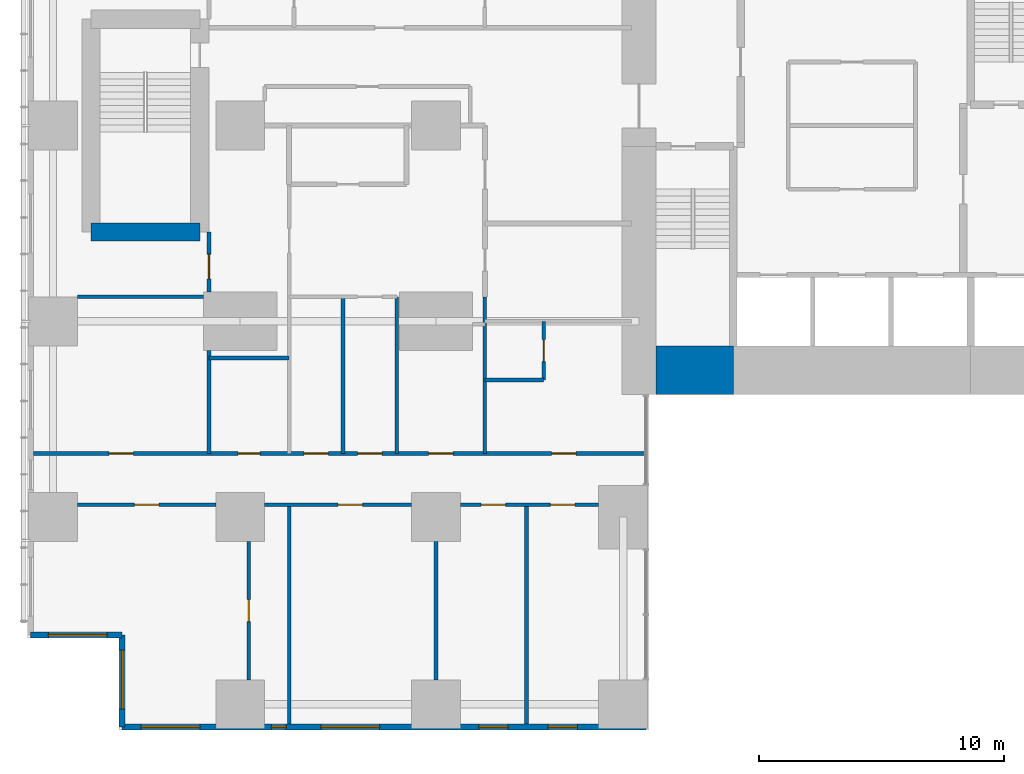
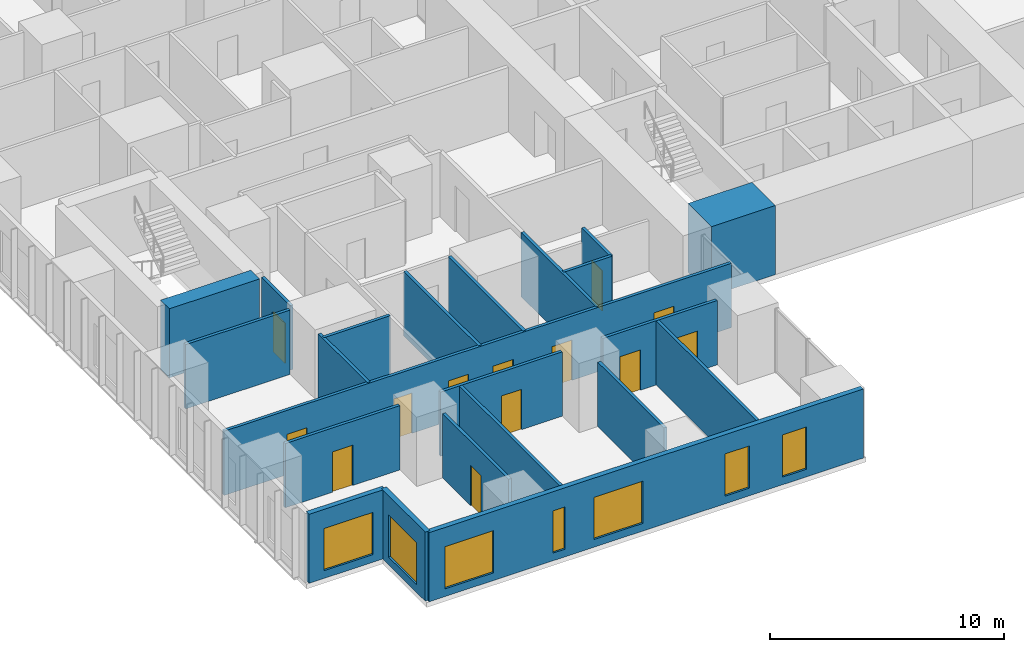
# One storey, part 12 of 20: 22 walls, 13 doors, 7 windows, 20 openings.
"""IFC4 building model written with IfcOpenShell, lengths in metres."""

import ifcopenshell
import ifcopenshell.guid

model = None  # the IFC model being written
_history = None  # IfcOwnerHistory: only IFC2X3 demands one
_inside = {}  # id of a spatial element -> (the spatial element, [elements in it])
_under = {}  # id of a project, library or spatial element -> (it, [spatial elements below it])
_declared = {}  # id of a project -> (the project, [libraries it declares])
_typed = {}  # id of a type object -> (the type object, [elements of that type])
_made_of = {}  # id of a material, layer set ... -> (it, [elements and type objects made of it])


def new_model(schema):
    """Start an empty IFC model of exactly this schema.

    Asked for "IFC4X3", IfcOpenShell would pick the latest addendum, in which some entities
    have other attributes; the version numbers below select the first issue.
    IFC2X3 requires an IfcOwnerHistory on every rooted entity: one is made here for all.
    """
    global model, _history
    if schema == "IFC4X3":
        model = ifcopenshell.file(schema_version=(4, 3, 0, 0))
    else:
        model = ifcopenshell.file(schema=schema)
    _inside.clear()
    _under.clear()
    _declared.clear()
    _typed.clear()
    _made_of.clear()
    _history = None
    if model.schema == "IFC2X3":
        org = make("IfcOrganization", Name="unknown")
        user = make(
            "IfcPersonAndOrganization",
            ThePerson=make("IfcPerson", FamilyName="unknown"),
            TheOrganization=org,
        )
        app = make(
            "IfcApplication",
            ApplicationDeveloper=org,
            Version="unknown",
            ApplicationFullName="unknown",
            ApplicationIdentifier="unknown",
        )
        _history = make(
            "IfcOwnerHistory",
            OwningUser=user,
            OwningApplication=app,
            ChangeAction="ADDED",
            CreationDate=0,
        )
    return model


def make(cls, **values):
    """One entity of the class cls with the attributes given. An attribute that is None is left unset."""
    return model.create_entity(
        cls, **{name: value for name, value in values.items() if value is not None}
    )


def rooted(cls, **values):
    """An entity with a GlobalId (a new one), such as an element, a storey or a relation."""
    return make(cls, GlobalId=ifcopenshell.guid.new(), OwnerHistory=_history, **values)


def si_unit(unit_type, name, prefix=None):
    """IfcSIUnit, for example si_unit("LENGTHUNIT", "METRE", prefix="MILLI")."""
    return make("IfcSIUnit", UnitType=unit_type, Prefix=prefix, Name=name)


def assignment(units):
    """IfcUnitAssignment: the units of a project."""
    return None if units is None else make("IfcUnitAssignment", Units=units)


def point(xyz):
    """IfcCartesianPoint."""
    return None if xyz is None else make("IfcCartesianPoint", Coordinates=xyz)


def direction(xyz):
    """IfcDirection."""
    return None if xyz is None else make("IfcDirection", DirectionRatios=xyz)


def frame(location, z_axis=None, x_axis=None):
    """IfcAxis2Placement3D, a coordinate frame: its origin and axes. An axis left out is left unset."""
    return make(
        "IfcAxis2Placement3D",
        Location=point(location),
        Axis=direction(z_axis),
        RefDirection=direction(x_axis),
    )


def frame_2d(location, x_axis=None):
    """IfcAxis2Placement2D, a coordinate frame in the plane: its origin and x axis."""
    return make(
        "IfcAxis2Placement2D", Location=point(location), RefDirection=direction(x_axis)
    )


def origin():
    """The frame at (0, 0, 0) with its axes left unset."""
    return frame((0.0, 0.0, 0.0))


def place(relative_to, where):
    """IfcLocalPlacement: puts the frame where relative to a parent placement (None: the world)."""
    return make(
        "IfcLocalPlacement", PlacementRelTo=relative_to, RelativePlacement=where
    )


def context(
    kind, dimensions, precision=None, world=None, true_north=None, identifier=None
):
    """IfcGeometricRepresentationContext, for example the 3D "Model" context."""
    return make(
        "IfcGeometricRepresentationContext",
        ContextIdentifier=identifier,
        ContextType=kind,
        CoordinateSpaceDimension=dimensions,
        Precision=precision,
        WorldCoordinateSystem=world,
        TrueNorth=true_north,
    )


def subcontext(parent, identifier, kind, view, scale=None):
    """IfcGeometricRepresentationSubContext, for example "Body" below "Model"."""
    return make(
        "IfcGeometricRepresentationSubContext",
        ContextIdentifier=identifier,
        ContextType=kind,
        ParentContext=parent,
        TargetScale=scale,
        TargetView=view,
    )


def project(units=None, contexts=None):
    """IfcProject with its units and contexts."""
    return rooted(
        "IfcProject",
        Name="project",
        RepresentationContexts=contexts,
        UnitsInContext=assignment(units),
    )


def spatial(cls, under=None, at=None, **own):
    """A site, building, storey or space (cls), placed at a placement, below another one or the project."""
    s = rooted(cls, ObjectPlacement=at, **own)
    if under is not None:
        _under.setdefault(under.id(), (under, []))[1].append(s)
    return s


def profile(cls, at=None, kind="AREA", **sizes):
    """A parametric profile (cls). Its sizes go by their IFC names, for example OverallWidth=200.0."""
    return make(cls, ProfileType=kind, Position=at, **sizes)


def rectangle(**sizes):
    """IfcRectangleProfileDef."""
    return profile("IfcRectangleProfileDef", **sizes)


def extrude(swept, where, along, depth):
    """IfcExtrudedAreaSolid: the profile swept, set in the frame where, extruded along a direction by depth."""
    return make(
        "IfcExtrudedAreaSolid",
        SweptArea=swept,
        Position=where,
        ExtrudedDirection=direction(along),
        Depth=depth,
    )


def shape(context_of_items, identifier, shape_type, items):
    """IfcShapeRepresentation: the items that make up one representation, for example the "Body"."""
    return make(
        "IfcShapeRepresentation",
        ContextOfItems=context_of_items,
        RepresentationIdentifier=identifier,
        RepresentationType=shape_type,
        Items=items,
    )


def material(Name=None, Category=None):
    """IfcMaterial."""
    return make("IfcMaterial", Name=Name, Category=Category)


def layer(
    of_material, thickness, ventilated=None, Name=None, Category=None, Priority=None
):
    """IfcMaterialLayer: one layer of a wall or slab, of a material (None: an air gap)."""
    return make(
        "IfcMaterialLayer",
        Material=of_material,
        LayerThickness=thickness,
        IsVentilated=ventilated,
        Name=Name,
        Category=Category,
        Priority=Priority,
    )


def layer_set(layers, Name=None):
    """IfcMaterialLayerSet."""
    return make("IfcMaterialLayerSet", MaterialLayers=layers, LayerSetName=Name)


def made_of(thing, what):
    """Note that an element or type object is made of a material, layer set ...; save() writes the relation."""
    if what is not None:
        _made_of.setdefault(what.id(), (what, []))[1].append(thing)
    return thing


def type_object(cls, material=None, **own):
    """A type object (cls), such as IfcWallType, which elements share."""
    return made_of(rooted(cls, **own), material)


def element(
    cls,
    number,
    at=None,
    inside=None,
    cuts=None,
    type_object=None,
    material=None,
    context=None,
    identifier="Body",
    shape_type=None,
    held_by="IfcProductDefinitionShape",
    body=None,
    shapes=None,
    **own,
):
    """One element of the class cls, such as IfcWall. Its Tag is "e" and its number.

    at: its placement. inside: the storey or other place that contains it. cuts: it is an
    opening in that element (IfcRelVoidsElement). A single representation is given by context,
    identifier, shape_type and body (its items); several are given by shapes. held_by: the class
    of the entity that holds the representations. save() writes the other relations.
    """
    e = rooted(cls, Tag="e%d" % number, ObjectPlacement=at, **own)
    if body is not None:
        shapes = [shape(context, identifier, shape_type, body)]
    if shapes is not None:
        e.Representation = make(held_by, Representations=shapes)
    if inside is not None:
        _inside.setdefault(inside.id(), (inside, []))[1].append(e)
    if cuts is not None:
        rooted(
            "IfcRelVoidsElement", RelatingBuildingElement=cuts, RelatedOpeningElement=e
        )
    if type_object is not None:
        _typed.setdefault(type_object.id(), (type_object, []))[1].append(e)
    return made_of(e, material)


def fill(opening, filler):
    """IfcRelFillsElement: the door or window that sits in an opening."""
    return rooted(
        "IfcRelFillsElement",
        RelatingOpeningElement=opening,
        RelatedBuildingElement=filler,
    )


def aggregate(whole, parts):
    """IfcRelAggregates: a whole, such as a stair, and the parts it consists of."""
    return rooted("IfcRelAggregates", RelatingObject=whole, RelatedObjects=parts)


def save(model, path):
    """Write the relations noted so far, then the file.

    IfcRelAggregates (storeys below a building ...), IfcRelContainedInSpatialStructure (elements
    in a storey), IfcRelDefinesByType, IfcRelAssociatesMaterial and IfcRelDeclares: one each for
    every whole, place, type object, material and project.
    """
    for whole, parts in _under.values():
        aggregate(whole, parts)
    for where, things in _inside.values():
        rooted(
            "IfcRelContainedInSpatialStructure",
            RelatedElements=things,
            RelatingStructure=where,
        )
    for kind, things in _typed.values():
        rooted("IfcRelDefinesByType", RelatedObjects=things, RelatingType=kind)
    for what, things in _made_of.values():
        rooted("IfcRelAssociatesMaterial", RelatedObjects=things, RelatingMaterial=what)
    for by, libraries in _declared.values():
        rooted("IfcRelDeclares", RelatingContext=by, RelatedDefinitions=libraries)
    model.write(path)


model = new_model("IFC4")

# Units and contexts
model_context = context("Model", 3, precision=1e-05, world=origin(), true_north=direction((0.0, 1.0)))
body_context = subcontext(model_context, "Body", "Model", "MODEL_VIEW")
ifc_project = project(units=[si_unit("LENGTHUNIT", "METRE"), si_unit("AREAUNIT", "SQUARE_METRE"), si_unit("VOLUMEUNIT", "CUBIC_METRE"), si_unit("PLANEANGLEUNIT", "RADIAN"), si_unit("MASSUNIT", "GRAM", prefix="KILO")], contexts=[model_context])

# Site, building, storey
site_placement = place(None, origin())
site = spatial("IfcSite", under=ifc_project, at=site_placement, CompositionType="ELEMENT")
building_placement = place(site_placement, origin())
building = spatial("IfcBuilding", under=site, at=building_placement, Name="Cleftline Residences", CompositionType="ELEMENT")
storey_placement = place(building_placement, frame((0.0, 0.0, 117.800048828125)))
storey = spatial("IfcBuildingStorey", under=building, at=storey_placement, Name="L30", CompositionType="ELEMENT", Elevation=117.800048828125)

# Wall
ifc_material_1 = material(Name="Concrete B70", Category="concrete")
ifc_layer_1 = layer(ifc_material_1, 2.0)
ifc_layer_set_1 = layer_set([ifc_layer_1], Name="CORE WALL 2000")
wall_type_1 = type_object("IfcWallType", Name="CORE WALL 2000", PredefinedType="SHEAR", material=ifc_layer_set_1)
wall_1_placement = place(storey_placement, frame((25.0, 14.0, 0.0), z_axis=(0.0, 0.0, 1.0), x_axis=(1.0, 0.0, 0.0)))
element("IfcWall", 1, at=wall_1_placement, inside=storey, type_object=wall_type_1, Name="Core wall S1", PredefinedType="SHEAR", context=body_context, shape_type="SweptSolid", body=[
    extrude(rectangle(XDim=3.14990234375, YDim=2.0, at=frame_2d((1.574951171875, 0.0))), origin(), (0.0, 0.0, 1.0), 3.599853515625),
])

# Wall, opening, window
ifc_material_2 = material(Name="Rendered reinforced concrete blockwork", Category="masonry")
ifc_layer_2 = layer(ifc_material_2, 0.25)
ifc_layer_set_2 = layer_set([ifc_layer_2], Name="EXTERNAL WALL 250")
wall_type_2 = type_object("IfcWallType", Name="EXTERNAL WALL 250", PredefinedType="SOLIDWALL", material=ifc_layer_set_2)
wall_2_placement = place(storey_placement, frame((-0.574951171875, 3.175048828125, 0.0), z_axis=(0.0, 0.0, 1.0), x_axis=(1.0, 0.0, 0.0)))
wall_2 = element("IfcWall", 2, at=wall_2_placement, inside=storey, type_object=wall_type_2, Name="External wall", PredefinedType="SOLIDWALL", context=body_context, shape_type="SweptSolid", body=[
    extrude(rectangle(XDim=3.75, YDim=0.25, at=frame_2d((1.875, 0.0))), origin(), (0.0, 0.0, 1.0), 3.599853515625),
])
opening_1_placement = place(wall_2_placement, frame((0.737548828125, 0.0, 0.39990234375)))
opening_1 = element("IfcOpeningElement", 3, at=opening_1_placement, cuts=wall_2, Name="Opening W12", PredefinedType="OPENING", context=body_context, shape_type="SweptSolid", body=[
    extrude(rectangle(XDim=2.39990234375, YDim=2.199951171875, at=frame_2d((1.199951171875, 1.10009765625))), frame((0.0, 0.135009765625, 0.0), z_axis=(0.0, -1.0, 0.0), x_axis=(1.0, 0.0, 0.0)), (0.0, 0.0, 1.0), 0.27001953125),
])
ifc_material_3 = material(Name="Aluminium frame, clear double glazing", Category="aluminium")
window_type_1 = type_object("IfcWindowType", Name="WINDOW 2400X2200", PartitioningType="DOUBLE_PANEL_VERTICAL", PredefinedType="WINDOW", material=ifc_material_3)
window_1_placement = place(opening_1_placement, origin())
window_1 = element("IfcWindow", 4, at=window_1_placement, inside=storey, type_object=window_type_1, Name="Window", OverallHeight=2.199951171875, OverallWidth=2.39990234375, PartitioningType="SINGLE_PANEL", PredefinedType="WINDOW", context=body_context, shape_type="SweptSolid", body=[
    extrude(rectangle(XDim=2.39990234375, YDim=2.199951171875, at=frame_2d((1.199951171875, 1.10009765625))), frame((0.0, 0.030029296875, 0.0), z_axis=(0.0, -1.0, 0.0), x_axis=(1.0, 0.0, 0.0)), (0.0, 0.0, 1.0), 0.06005859375),
])
fill(opening_1, window_1)

wall_3_placement = place(storey_placement, frame((3.175048828125, 3.175048828125, 0.0), z_axis=(0.0, 0.0, 1.0), x_axis=(0.0, -1.0, 0.0)))
wall_3 = element("IfcWall", 5, at=wall_3_placement, inside=storey, type_object=wall_type_2, Name="External wall", PredefinedType="SOLIDWALL", context=body_context, shape_type="SweptSolid", body=[
    extrude(rectangle(XDim=3.75, YDim=0.25, at=frame_2d((1.875, 0.0))), origin(), (0.0, 0.0, 1.0), 3.599853515625),
])
opening_2_placement = place(wall_3_placement, frame((0.612548828125, 0.0, 0.39990234375)))
opening_2 = element("IfcOpeningElement", 6, at=opening_2_placement, cuts=wall_3, Name="Opening W12", PredefinedType="OPENING", context=body_context, shape_type="SweptSolid", body=[
    extrude(rectangle(XDim=2.39990234375, YDim=2.199951171875, at=frame_2d((1.199951171875, 1.10009765625))), frame((0.0, 0.135009765625, 0.0), z_axis=(0.0, -1.0, 0.0), x_axis=(1.0, 0.0, 0.0)), (0.0, 0.0, 1.0), 0.27001953125),
])
window_2_placement = place(opening_2_placement, origin())
window_2 = element("IfcWindow", 7, at=window_2_placement, inside=storey, type_object=window_type_1, Name="Window", OverallHeight=2.199951171875, OverallWidth=2.39990234375, PartitioningType="SINGLE_PANEL", PredefinedType="WINDOW", context=body_context, shape_type="SweptSolid", body=[
    extrude(rectangle(XDim=2.39990234375, YDim=2.199951171875, at=frame_2d((1.199951171875, 1.10009765625))), frame((0.0, 0.030029296875, 0.0), z_axis=(0.0, -1.0, 0.0), x_axis=(1.0, 0.0, 0.0)), (0.0, 0.0, 1.0), 0.06005859375),
])
fill(opening_2, window_2)

# Wall, openings, windows
wall_4_placement = place(storey_placement, frame((3.175048828125, -0.574951171875, 0.0), z_axis=(0.0, 0.0, 1.0), x_axis=(1.0, 0.0, 0.0)))
wall_4 = element("IfcWall", 8, at=wall_4_placement, inside=storey, type_object=wall_type_2, Name="External wall", PredefinedType="SOLIDWALL", context=body_context, shape_type="SweptSolid", body=[
    extrude(rectangle(XDim=21.39990234375, YDim=0.25, at=frame_2d((10.699951171875, 0.0))), origin(), (0.0, 0.0, 1.0), 3.599853515625),
])
opening_3_placement = place(wall_4_placement, frame((0.77490234375, 0.0, 0.39990234375)))
opening_3 = element("IfcOpeningElement", 9, at=opening_3_placement, cuts=wall_4, Name="Opening W12", PredefinedType="OPENING", context=body_context, shape_type="SweptSolid", body=[
    extrude(rectangle(XDim=2.39990234375, YDim=2.199951171875, at=frame_2d((1.199951171875, 1.10009765625))), frame((0.0, 0.135009765625, 0.0), z_axis=(0.0, -1.0, 0.0), x_axis=(1.0, 0.0, 0.0)), (0.0, 0.0, 1.0), 0.27001953125),
])
opening_4_placement = place(wall_4_placement, frame((6.10009765625, 0.0, 0.39990234375)))
opening_4 = element("IfcOpeningElement", 10, at=opening_4_placement, cuts=wall_4, Name="Opening W10", PredefinedType="OPENING", context=body_context, shape_type="SweptSolid", body=[
    extrude(rectangle(XDim=0.60009765625, YDim=2.199951171875, at=frame_2d((0.300048828125, 1.10009765625))), frame((0.0, 0.135009765625, 0.0), z_axis=(0.0, -1.0, 0.0), x_axis=(1.0, 0.0, 0.0)), (0.0, 0.0, 1.0), 0.27001953125),
])
opening_5_placement = place(wall_4_placement, frame((8.125, 0.0, 0.39990234375)))
opening_5 = element("IfcOpeningElement", 11, at=opening_5_placement, cuts=wall_4, Name="Opening W12", PredefinedType="OPENING", context=body_context, shape_type="SweptSolid", body=[
    extrude(rectangle(XDim=2.39990234375, YDim=2.199951171875, at=frame_2d((1.199951171875, 1.10009765625))), frame((0.0, 0.135009765625, 0.0), z_axis=(0.0, -1.0, 0.0), x_axis=(1.0, 0.0, 0.0)), (0.0, 0.0, 1.0), 0.27001953125),
])
opening_6_placement = place(wall_4_placement, frame((14.574951171875, 0.0, 0.39990234375)))
opening_6 = element("IfcOpeningElement", 12, at=opening_6_placement, cuts=wall_4, Name="Opening W11", PredefinedType="OPENING", context=body_context, shape_type="SweptSolid", body=[
    extrude(rectangle(XDim=1.199951171875, YDim=2.199951171875, at=frame_2d((0.60009765625, 1.10009765625))), frame((0.0, 0.135009765625, 0.0), z_axis=(0.0, -1.0, 0.0), x_axis=(1.0, 0.0, 0.0)), (0.0, 0.0, 1.0), 0.27001953125),
])
opening_7_placement = place(wall_4_placement, frame((17.39990234375, 0.0, 0.39990234375)))
opening_7 = element("IfcOpeningElement", 13, at=opening_7_placement, cuts=wall_4, Name="Opening W11", PredefinedType="OPENING", context=body_context, shape_type="SweptSolid", body=[
    extrude(rectangle(XDim=1.199951171875, YDim=2.199951171875, at=frame_2d((0.60009765625, 1.10009765625))), frame((0.0, 0.135009765625, 0.0), z_axis=(0.0, -1.0, 0.0), x_axis=(1.0, 0.0, 0.0)), (0.0, 0.0, 1.0), 0.27001953125),
])
ifc_material_4 = material(Name="Aluminium frame, clear double glazing", Category="aluminium")
window_type_2 = type_object("IfcWindowType", Name="WINDOW 1200X2200", PartitioningType="DOUBLE_PANEL_VERTICAL", PredefinedType="WINDOW", material=ifc_material_4)
window_3_placement = place(opening_6_placement, origin())
window_3 = element("IfcWindow", 14, at=window_3_placement, inside=storey, type_object=window_type_2, Name="Window", OverallHeight=2.199951171875, OverallWidth=1.199951171875, PartitioningType="SINGLE_PANEL", PredefinedType="WINDOW", context=body_context, shape_type="SweptSolid", body=[
    extrude(rectangle(XDim=1.199951171875, YDim=2.199951171875, at=frame_2d((0.60009765625, 1.10009765625))), frame((0.0, 0.030029296875, 0.0), z_axis=(0.0, -1.0, 0.0), x_axis=(1.0, 0.0, 0.0)), (0.0, 0.0, 1.0), 0.06005859375),
])
fill(opening_6, window_3)
window_4_placement = place(opening_7_placement, origin())
window_4 = element("IfcWindow", 15, at=window_4_placement, inside=storey, type_object=window_type_2, Name="Window", OverallHeight=2.199951171875, OverallWidth=1.199951171875, PartitioningType="SINGLE_PANEL", PredefinedType="WINDOW", context=body_context, shape_type="SweptSolid", body=[
    extrude(rectangle(XDim=1.199951171875, YDim=2.199951171875, at=frame_2d((0.60009765625, 1.10009765625))), frame((0.0, 0.030029296875, 0.0), z_axis=(0.0, -1.0, 0.0), x_axis=(1.0, 0.0, 0.0)), (0.0, 0.0, 1.0), 0.06005859375),
])
fill(opening_7, window_4)
window_5_placement = place(opening_3_placement, origin())
window_5 = element("IfcWindow", 16, at=window_5_placement, inside=storey, type_object=window_type_1, Name="Window", OverallHeight=2.199951171875, OverallWidth=2.39990234375, PartitioningType="SINGLE_PANEL", PredefinedType="WINDOW", context=body_context, shape_type="SweptSolid", body=[
    extrude(rectangle(XDim=2.39990234375, YDim=2.199951171875, at=frame_2d((1.199951171875, 1.10009765625))), frame((0.0, 0.030029296875, 0.0), z_axis=(0.0, -1.0, 0.0), x_axis=(1.0, 0.0, 0.0)), (0.0, 0.0, 1.0), 0.06005859375),
])
fill(opening_3, window_5)
window_6_placement = place(opening_5_placement, origin())
window_6 = element("IfcWindow", 17, at=window_6_placement, inside=storey, type_object=window_type_1, Name="Window", OverallHeight=2.199951171875, OverallWidth=2.39990234375, PartitioningType="SINGLE_PANEL", PredefinedType="WINDOW", context=body_context, shape_type="SweptSolid", body=[
    extrude(rectangle(XDim=2.39990234375, YDim=2.199951171875, at=frame_2d((1.199951171875, 1.10009765625))), frame((0.0, 0.030029296875, 0.0), z_axis=(0.0, -1.0, 0.0), x_axis=(1.0, 0.0, 0.0)), (0.0, 0.0, 1.0), 0.06005859375),
])
fill(opening_5, window_6)
ifc_material_5 = material(Name="Aluminium frame, clear double glazing", Category="aluminium")
window_type_3 = type_object("IfcWindowType", Name="WINDOW 600X2200", PartitioningType="DOUBLE_PANEL_VERTICAL", PredefinedType="WINDOW", material=ifc_material_5)
window_7_placement = place(opening_4_placement, origin())
window_7 = element("IfcWindow", 18, at=window_7_placement, inside=storey, type_object=window_type_3, Name="Window", OverallHeight=2.199951171875, OverallWidth=0.60009765625, PartitioningType="SINGLE_PANEL", PredefinedType="WINDOW", context=body_context, shape_type="SweptSolid", body=[
    extrude(rectangle(XDim=0.60009765625, YDim=2.199951171875, at=frame_2d((0.300048828125, 1.10009765625))), frame((0.0, 0.030029296875, 0.0), z_axis=(0.0, -1.0, 0.0), x_axis=(1.0, 0.0, 0.0)), (0.0, 0.0, 1.0), 0.06005859375),
])
fill(opening_4, window_7)

# Wall, opening, door
ifc_material_6 = material(Name="Gypsum board on steel studs", Category="steel")
ifc_layer_3 = layer(ifc_material_6, 0.14990234375)
ifc_layer_set_3 = layer_set([ifc_layer_3], Name="PARTITION 150")
wall_type_3 = type_object("IfcWallType", Name="PARTITION 150", PredefinedType="PARTITIONING", material=ifc_layer_set_3)
wall_5_placement = place(storey_placement, frame((1.35009765625, 8.5, 0.0), z_axis=(0.0, 0.0, 1.0), x_axis=(1.0, 0.0, 0.0)))
wall_5 = element("IfcWall", 19, at=wall_5_placement, inside=storey, type_object=wall_type_3, Name="Partition", PredefinedType="PARTITIONING", context=body_context, shape_type="SweptSolid", body=[
    extrude(rectangle(XDim=5.64990234375, YDim=0.14990234375, at=frame_2d((2.824951171875, 0.0))), origin(), (0.0, 0.0, 1.0), 3.349853515625),
])
opening_8_placement = place(wall_5_placement, frame((2.324951171875, 0.0, 0.0)))
opening_8 = element("IfcOpeningElement", 20, at=opening_8_placement, cuts=wall_5, Name="Opening D2", PredefinedType="OPENING", context=body_context, shape_type="SweptSolid", body=[
    extrude(rectangle(XDim=1.0, YDim=2.10009765625, at=frame_2d((0.5, 1.050048828125))), frame((0.0, 0.0849609375, 0.0), z_axis=(0.0, -1.0, 0.0), x_axis=(1.0, 0.0, 0.0)), (0.0, 0.0, 1.0), 0.169921875),
])
ifc_material_7 = material(Name="Timber veneer on solid core", Category="wood")
door_type_1 = type_object("IfcDoorType", Name="DOOR 1000X2100", OperationType="SINGLE_SWING_LEFT", PredefinedType="DOOR", material=ifc_material_7)
door_1_placement = place(opening_8_placement, origin())
door_1 = element("IfcDoor", 21, at=door_1_placement, inside=storey, type_object=door_type_1, Name="Door to formal living room", OperationType="SINGLE_SWING_LEFT", OverallHeight=2.10009765625, OverallWidth=1.0, PredefinedType="DOOR", context=body_context, shape_type="SweptSolid", body=[
    extrude(rectangle(XDim=1.0, YDim=2.10009765625, at=frame_2d((0.5, 1.050048828125))), frame((0.0, 0.02490234375, 0.0), z_axis=(0.0, -1.0, 0.0), x_axis=(1.0, 0.0, 0.0)), (0.0, 0.0, 1.0), 0.050048828125),
])
fill(opening_8, door_1)

wall_6_placement = place(storey_placement, frame((9.0, 8.5, 0.0), z_axis=(0.0, 0.0, 1.0), x_axis=(1.0, 0.0, 0.0)))
wall_6 = element("IfcWall", 22, at=wall_6_placement, inside=storey, type_object=wall_type_3, Name="Partition", PredefinedType="PARTITIONING", context=body_context, shape_type="SweptSolid", body=[
    extrude(rectangle(XDim=6.0, YDim=0.14990234375, at=frame_2d((3.0, 0.0))), origin(), (0.0, 0.0, 1.0), 3.349853515625),
])
opening_9_placement = place(wall_6_placement, frame((3.0, 0.0, 0.0)))
opening_9 = element("IfcOpeningElement", 23, at=opening_9_placement, cuts=wall_6, Name="Opening D2", PredefinedType="OPENING", context=body_context, shape_type="SweptSolid", body=[
    extrude(rectangle(XDim=1.0, YDim=2.10009765625, at=frame_2d((0.5, 1.050048828125))), frame((0.0, 0.0849609375, 0.0), z_axis=(0.0, -1.0, 0.0), x_axis=(1.0, 0.0, 0.0)), (0.0, 0.0, 1.0), 0.169921875),
])
door_2_placement = place(opening_9_placement, origin())
door_2 = element("IfcDoor", 24, at=door_2_placement, inside=storey, type_object=door_type_1, Name="Door to formal dining room", OperationType="SINGLE_SWING_LEFT", OverallHeight=2.10009765625, OverallWidth=1.0, PredefinedType="DOOR", context=body_context, shape_type="SweptSolid", body=[
    extrude(rectangle(XDim=1.0, YDim=2.10009765625, at=frame_2d((0.5, 1.050048828125))), frame((0.0, 0.02490234375, 0.0), z_axis=(0.0, -1.0, 0.0), x_axis=(1.0, 0.0, 0.0)), (0.0, 0.0, 1.0), 0.050048828125),
])
fill(opening_9, door_2)

# Wall, openings, doors
wall_7_placement = place(storey_placement, frame((17.0, 8.5, 0.0), z_axis=(0.0, 0.0, 1.0), x_axis=(1.0, 0.0, 0.0)))
wall_7 = element("IfcWall", 25, at=wall_7_placement, inside=storey, type_object=wall_type_3, Name="Partition", PredefinedType="PARTITIONING", context=body_context, shape_type="SweptSolid", body=[
    extrude(rectangle(XDim=5.64990234375, YDim=0.14990234375, at=frame_2d((2.824951171875, 0.0))), origin(), (0.0, 0.0, 1.0), 3.349853515625),
])
opening_10_placement = place(wall_7_placement, frame((0.85009765625, 0.0, 0.0)))
opening_10 = element("IfcOpeningElement", 26, at=opening_10_placement, cuts=wall_7, Name="Opening D2", PredefinedType="OPENING", context=body_context, shape_type="SweptSolid", body=[
    extrude(rectangle(XDim=1.0, YDim=2.10009765625, at=frame_2d((0.5, 1.050048828125))), frame((0.0, 0.0849609375, 0.0), z_axis=(0.0, -1.0, 0.0), x_axis=(1.0, 0.0, 0.0)), (0.0, 0.0, 1.0), 0.169921875),
])
opening_11_placement = place(wall_7_placement, frame((3.675048828125, 0.0, 0.0)))
opening_11 = element("IfcOpeningElement", 27, at=opening_11_placement, cuts=wall_7, Name="Opening D2", PredefinedType="OPENING", context=body_context, shape_type="SweptSolid", body=[
    extrude(rectangle(XDim=1.0, YDim=2.10009765625, at=frame_2d((0.5, 1.050048828125))), frame((0.0, 0.0849609375, 0.0), z_axis=(0.0, -1.0, 0.0), x_axis=(1.0, 0.0, 0.0)), (0.0, 0.0, 1.0), 0.169921875),
])
door_3_placement = place(opening_10_placement, origin())
door_3 = element("IfcDoor", 28, at=door_3_placement, inside=storey, type_object=door_type_1, Name="Door to breakfast room", OperationType="SINGLE_SWING_RIGHT", OverallHeight=2.10009765625, OverallWidth=1.0, PredefinedType="DOOR", context=body_context, shape_type="SweptSolid", body=[
    extrude(rectangle(XDim=1.0, YDim=2.10009765625, at=frame_2d((0.5, 1.050048828125))), frame((0.0, 0.02490234375, 0.0), z_axis=(0.0, -1.0, 0.0), x_axis=(1.0, 0.0, 0.0)), (0.0, 0.0, 1.0), 0.050048828125),
])
fill(opening_10, door_3)
door_4_placement = place(opening_11_placement, origin())
door_4 = element("IfcDoor", 29, at=door_4_placement, inside=storey, type_object=door_type_1, Name="Door to show kitchen", OperationType="SINGLE_SWING_LEFT", OverallHeight=2.10009765625, OverallWidth=1.0, PredefinedType="DOOR", context=body_context, shape_type="SweptSolid", body=[
    extrude(rectangle(XDim=1.0, YDim=2.10009765625, at=frame_2d((0.5, 1.050048828125))), frame((0.0, 0.02490234375, 0.0), z_axis=(0.0, -1.0, 0.0), x_axis=(1.0, 0.0, 0.0)), (0.0, 0.0, 1.0), 0.050048828125),
])
fill(opening_11, door_4)

wall_8_placement = place(storey_placement, frame((-0.449951171875, 10.60009765625, 0.0), z_axis=(0.0, 0.0, 1.0), x_axis=(1.0, 0.0, 0.0)))
wall_8 = element("IfcWall", 30, at=wall_8_placement, inside=storey, type_object=wall_type_3, Name="Partition", PredefinedType="PARTITIONING", context=body_context, shape_type="SweptSolid", body=[
    extrude(rectangle(XDim=25.010986328125, YDim=0.14990234375, at=frame_2d((12.50537109375, 0.0))), origin(), (0.0, 0.0, 1.0), 3.349853515625),
])
opening_12_placement = place(wall_8_placement, frame((13.25, 0.0, 0.0)))
opening_12 = element("IfcOpeningElement", 31, at=opening_12_placement, cuts=wall_8, Name="Opening D2F30", PredefinedType="OPENING", context=body_context, shape_type="SweptSolid", body=[
    extrude(rectangle(XDim=1.0, YDim=2.10009765625, at=frame_2d((0.5, 1.050048828125))), frame((0.0, 0.0849609375, 0.0), z_axis=(0.0, -1.0, 0.0), x_axis=(1.0, 0.0, 0.0)), (0.0, 0.0, 1.0), 0.169921875),
])
opening_13_placement = place(wall_8_placement, frame((3.08740234375, 0.0, 0.0)))
opening_13 = element("IfcOpeningElement", 32, at=opening_13_placement, cuts=wall_8, Name="Opening D2F30", PredefinedType="OPENING", context=body_context, shape_type="SweptSolid", body=[
    extrude(rectangle(XDim=1.0, YDim=2.10009765625, at=frame_2d((0.5, 1.050048828125))), frame((0.0, 0.0849609375, 0.0), z_axis=(0.0, -1.0, 0.0), x_axis=(1.0, 0.0, 0.0)), (0.0, 0.0, 1.0), 0.169921875),
])
opening_14_placement = place(wall_8_placement, frame((8.362548828125, 0.0, 0.0)))
opening_14 = element("IfcOpeningElement", 33, at=opening_14_placement, cuts=wall_8, Name="Opening D1F30", PredefinedType="OPENING", context=body_context, shape_type="SweptSolid", body=[
    extrude(rectangle(XDim=0.89990234375, YDim=2.10009765625, at=frame_2d((0.449951171875, 1.050048828125))), frame((0.0, 0.0849609375, 0.0), z_axis=(0.0, -1.0, 0.0), x_axis=(1.0, 0.0, 0.0)), (0.0, 0.0, 1.0), 0.169921875),
])
opening_15_placement = place(wall_8_placement, frame((11.050048828125, 0.0, 0.0)))
opening_15 = element("IfcOpeningElement", 34, at=opening_15_placement, cuts=wall_8, Name="Opening D2F30", PredefinedType="OPENING", context=body_context, shape_type="SweptSolid", body=[
    extrude(rectangle(XDim=1.0, YDim=2.10009765625, at=frame_2d((0.5, 1.050048828125))), frame((0.0, 0.0849609375, 0.0), z_axis=(0.0, -1.0, 0.0), x_axis=(1.0, 0.0, 0.0)), (0.0, 0.0, 1.0), 0.169921875),
])
opening_16_placement = place(wall_8_placement, frame((16.14990234375, 0.0, 0.0)))
opening_16 = element("IfcOpeningElement", 35, at=opening_16_placement, cuts=wall_8, Name="Opening D2F30", PredefinedType="OPENING", context=body_context, shape_type="SweptSolid", body=[
    extrude(rectangle(XDim=1.0, YDim=2.10009765625, at=frame_2d((0.5, 1.050048828125))), frame((0.0, 0.0849609375, 0.0), z_axis=(0.0, -1.0, 0.0), x_axis=(1.0, 0.0, 0.0)), (0.0, 0.0, 1.0), 0.169921875),
])
opening_17_placement = place(wall_8_placement, frame((21.175048828125, 0.0, 0.0)))
opening_17 = element("IfcOpeningElement", 36, at=opening_17_placement, cuts=wall_8, Name="Opening D2F30", PredefinedType="OPENING", context=body_context, shape_type="SweptSolid", body=[
    extrude(rectangle(XDim=1.0, YDim=2.10009765625, at=frame_2d((0.5, 1.050048828125))), frame((0.0, 0.0849609375, 0.0), z_axis=(0.0, -1.0, 0.0), x_axis=(1.0, 0.0, 0.0)), (0.0, 0.0, 1.0), 0.169921875),
])
ifc_material_8 = material(Name="Timber veneer on solid core", Category="wood")
door_type_2 = type_object("IfcDoorType", Name="DOOR 1000X2100 EI 30", OperationType="SINGLE_SWING_LEFT", PredefinedType="DOOR", material=ifc_material_8)
door_5_placement = place(opening_12_placement, origin())
door_5 = element("IfcDoor", 37, at=door_5_placement, inside=storey, type_object=door_type_2, Name="Door to residence hall (gallery)", OperationType="SINGLE_SWING_LEFT", OverallHeight=2.10009765625, OverallWidth=1.0, PredefinedType="DOOR", context=body_context, shape_type="SweptSolid", body=[
    extrude(rectangle(XDim=1.0, YDim=2.10009765625, at=frame_2d((0.5, 1.050048828125))), frame((0.0, 0.02490234375, 0.0), z_axis=(0.0, -1.0, 0.0), x_axis=(1.0, 0.0, 0.0)), (0.0, 0.0, 1.0), 0.050048828125),
])
fill(opening_12, door_5)
door_6_placement = place(opening_13_placement, origin())
door_6 = element("IfcDoor", 38, at=door_6_placement, inside=storey, type_object=door_type_2, Name="Door to winter garden", OperationType="SINGLE_SWING_RIGHT", OverallHeight=2.10009765625, OverallWidth=1.0, PredefinedType="DOOR", context=body_context, shape_type="SweptSolid", body=[
    extrude(rectangle(XDim=1.0, YDim=2.10009765625, at=frame_2d((0.5, 1.050048828125))), frame((0.0, 0.02490234375, 0.0), z_axis=(0.0, -1.0, 0.0), x_axis=(1.0, 0.0, 0.0)), (0.0, 0.0, 1.0), 0.050048828125),
])
fill(opening_13, door_6)
door_7_placement = place(opening_15_placement, origin())
door_7 = element("IfcDoor", 39, at=door_7_placement, inside=storey, type_object=door_type_2, Name="Door to family room", OperationType="SINGLE_SWING_RIGHT", OverallHeight=2.10009765625, OverallWidth=1.0, PredefinedType="DOOR", context=body_context, shape_type="SweptSolid", body=[
    extrude(rectangle(XDim=1.0, YDim=2.10009765625, at=frame_2d((0.5, 1.050048828125))), frame((0.0, 0.02490234375, 0.0), z_axis=(0.0, -1.0, 0.0), x_axis=(1.0, 0.0, 0.0)), (0.0, 0.0, 1.0), 0.050048828125),
])
fill(opening_15, door_7)
door_8_placement = place(opening_16_placement, origin())
door_8 = element("IfcDoor", 40, at=door_8_placement, inside=storey, type_object=door_type_2, Name="Door to wet kitchen", OperationType="SINGLE_SWING_LEFT", OverallHeight=2.10009765625, OverallWidth=1.0, PredefinedType="DOOR", context=body_context, shape_type="SweptSolid", body=[
    extrude(rectangle(XDim=1.0, YDim=2.10009765625, at=frame_2d((0.5, 1.050048828125))), frame((0.0, 0.02490234375, 0.0), z_axis=(0.0, -1.0, 0.0), x_axis=(1.0, 0.0, 0.0)), (0.0, 0.0, 1.0), 0.050048828125),
])
fill(opening_16, door_8)
door_9_placement = place(opening_17_placement, origin())
door_9 = element("IfcDoor", 41, at=door_9_placement, inside=storey, type_object=door_type_2, Name="Door to staff bedroom", OperationType="SINGLE_SWING_LEFT", OverallHeight=2.10009765625, OverallWidth=1.0, PredefinedType="DOOR", context=body_context, shape_type="SweptSolid", body=[
    extrude(rectangle(XDim=1.0, YDim=2.10009765625, at=frame_2d((0.5, 1.050048828125))), frame((0.0, 0.02490234375, 0.0), z_axis=(0.0, -1.0, 0.0), x_axis=(1.0, 0.0, 0.0)), (0.0, 0.0, 1.0), 0.050048828125),
])
fill(opening_17, door_9)
ifc_material_9 = material(Name="Timber veneer on solid core", Category="wood")
door_type_3 = type_object("IfcDoorType", Name="DOOR 900X2100 EI 30", OperationType="SINGLE_SWING_LEFT", PredefinedType="DOOR", material=ifc_material_9)
door_10_placement = place(opening_14_placement, origin())
door_10 = element("IfcDoor", 42, at=door_10_placement, inside=storey, type_object=door_type_3, Name="Door to store room", OperationType="SINGLE_SWING_RIGHT", OverallHeight=2.10009765625, OverallWidth=0.89990234375, PredefinedType="DOOR", context=body_context, shape_type="SweptSolid", body=[
    extrude(rectangle(XDim=0.89990234375, YDim=2.10009765625, at=frame_2d((0.449951171875, 1.050048828125))), frame((0.0, 0.02490234375, 0.0), z_axis=(0.0, -1.0, 0.0), x_axis=(1.0, 0.0, 0.0)), (0.0, 0.0, 1.0), 0.050048828125),
])
fill(opening_14, door_10)

# Walls
wall_9_placement = place(storey_placement, frame((18.0, 13.60009765625, 0.0), z_axis=(0.0, 0.0, 1.0), x_axis=(1.0, 0.0, 0.0)))
element("IfcWall", 43, at=wall_9_placement, inside=storey, type_object=wall_type_3, Name="Partition", PredefinedType="PARTITIONING", context=body_context, shape_type="SweptSolid", body=[
    extrude(rectangle(XDim=2.39990234375, YDim=0.14990234375, at=frame_2d((1.199951171875, 0.0))), origin(), (0.0, 0.0, 1.0), 3.349853515625),
])
wall_10_placement = place(storey_placement, frame((6.72509765625, 14.5, 0.0), z_axis=(0.0, 0.0, 1.0), x_axis=(1.0, 0.0, 0.0)))
element("IfcWall", 44, at=wall_10_placement, inside=storey, type_object=wall_type_3, Name="Partition", PredefinedType="PARTITIONING", context=body_context, shape_type="SweptSolid", body=[
    extrude(rectangle(XDim=3.27490234375, YDim=0.14990234375, at=frame_2d((1.637451171875, 0.0))), origin(), (0.0, 0.0, 1.0), 3.349853515625),
])
wall_11_placement = place(storey_placement, frame((1.35009765625, 17.0, 0.0), z_axis=(0.0, 0.0, 1.0), x_axis=(1.0, 0.0, 0.0)))
element("IfcWall", 45, at=wall_11_placement, inside=storey, type_object=wall_type_3, Name="Partition", PredefinedType="PARTITIONING", context=body_context, shape_type="SweptSolid", body=[
    extrude(rectangle(XDim=5.14990234375, YDim=0.14990234375, at=frame_2d((2.574951171875, 0.0))), origin(), (0.0, 0.0, 1.0), 3.349853515625),
])
wall_12_placement = place(storey_placement, frame((6.72509765625, 10.60009765625, 0.0), z_axis=(0.0, 0.0, 1.0), x_axis=(0.0, 1.0, 0.0)))
element("IfcWall", 46, at=wall_12_placement, inside=storey, type_object=wall_type_3, Name="Partition", PredefinedType="PARTITIONING", context=body_context, shape_type="SweptSolid", body=[
    extrude(rectangle(XDim=4.199951171875, YDim=0.14990234375, at=frame_2d((2.10009765625, 0.0))), origin(), (0.0, 0.0, 1.0), 3.349853515625),
])

# Wall, opening, door
wall_13_placement = place(storey_placement, frame((6.72509765625, 17.199951171875, 0.0), z_axis=(0.0, 0.0, 1.0), x_axis=(0.0, 1.0, 0.0)))
wall_13 = element("IfcWall", 47, at=wall_13_placement, inside=storey, type_object=wall_type_3, Name="Partition", PredefinedType="PARTITIONING", context=body_context, shape_type="SweptSolid", body=[
    extrude(rectangle(XDim=2.449951171875, YDim=0.14990234375, at=frame_2d((1.22509765625, 0.0))), origin(), (0.0, 0.0, 1.0), 3.349853515625),
])
opening_18_placement = place(wall_13_placement, frame((0.53759765625, 0.0, 0.0)))
opening_18 = element("IfcOpeningElement", 48, at=opening_18_placement, cuts=wall_13, Name="Opening D2", PredefinedType="OPENING", context=body_context, shape_type="SweptSolid", body=[
    extrude(rectangle(XDim=1.0, YDim=2.10009765625, at=frame_2d((0.5, 1.050048828125))), frame((0.0, 0.0849609375, 0.0), z_axis=(0.0, -1.0, 0.0), x_axis=(1.0, 0.0, 0.0)), (0.0, 0.0, 1.0), 0.169921875),
])
door_11_placement = place(opening_18_placement, origin())
door_11 = element("IfcDoor", 49, at=door_11_placement, inside=storey, type_object=door_type_1, Name="Door to altar room", OperationType="SINGLE_SWING_RIGHT", OverallHeight=2.10009765625, OverallWidth=1.0, PredefinedType="DOOR", context=body_context, shape_type="SweptSolid", body=[
    extrude(rectangle(XDim=1.0, YDim=2.10009765625, at=frame_2d((0.5, 1.050048828125))), frame((0.0, 0.02490234375, 0.0), z_axis=(0.0, -1.0, 0.0), x_axis=(1.0, 0.0, 0.0)), (0.0, 0.0, 1.0), 0.050048828125),
])
fill(opening_18, door_11)

wall_14_placement = place(storey_placement, frame((8.35009765625, 1.35009765625, 0.0), z_axis=(0.0, 0.0, 1.0), x_axis=(0.0, 1.0, 0.0)))
wall_14 = element("IfcWall", 50, at=wall_14_placement, inside=storey, type_object=wall_type_3, Name="Partition", PredefinedType="PARTITIONING", context=body_context, shape_type="SweptSolid", body=[
    extrude(rectangle(XDim=5.64990234375, YDim=0.14990234375, at=frame_2d((2.824951171875, 0.0))), origin(), (0.0, 0.0, 1.0), 3.349853515625),
])
opening_19_placement = place(wall_14_placement, frame((2.375, 0.0, 0.0)))
opening_19 = element("IfcOpeningElement", 51, at=opening_19_placement, cuts=wall_14, Name="Opening D1", PredefinedType="OPENING", context=body_context, shape_type="SweptSolid", body=[
    extrude(rectangle(XDim=0.89990234375, YDim=2.10009765625, at=frame_2d((0.449951171875, 1.050048828125))), frame((0.0, 0.0849609375, 0.0), z_axis=(0.0, -1.0, 0.0), x_axis=(1.0, 0.0, 0.0)), (0.0, 0.0, 1.0), 0.169921875),
])
ifc_material_10 = material(Name="Timber veneer on solid core", Category="wood")
door_type_4 = type_object("IfcDoorType", Name="DOOR 900X2100", OperationType="SINGLE_SWING_LEFT", PredefinedType="DOOR", material=ifc_material_10)
door_12_placement = place(opening_19_placement, origin())
door_12 = element("IfcDoor", 52, at=door_12_placement, inside=storey, type_object=door_type_4, Name="Door to store room", OperationType="SINGLE_SWING_LEFT", OverallHeight=2.10009765625, OverallWidth=0.89990234375, PredefinedType="DOOR", context=body_context, shape_type="SweptSolid", body=[
    extrude(rectangle(XDim=0.89990234375, YDim=2.10009765625, at=frame_2d((0.449951171875, 1.050048828125))), frame((0.0, 0.02490234375, 0.0), z_axis=(0.0, -1.0, 0.0), x_axis=(1.0, 0.0, 0.0)), (0.0, 0.0, 1.0), 0.050048828125),
])
fill(opening_19, door_12)

# Walls
wall_15_placement = place(storey_placement, frame((10.0, -0.449951171875, 0.0), z_axis=(0.0, 0.0, 1.0), x_axis=(0.0, 1.0, 0.0)))
element("IfcWall", 53, at=wall_15_placement, inside=storey, type_object=wall_type_3, Name="Partition", PredefinedType="PARTITIONING", context=body_context, shape_type="SweptSolid", body=[
    extrude(rectangle(XDim=8.949951171875, YDim=0.14990234375, at=frame_2d((4.47509765625, 0.0))), origin(), (0.0, 0.0, 1.0), 3.349853515625),
])
for number, where, z_axis, x_axis, name in (
    (54, (12.199951171875, 10.60009765625, 0.0), (0.0, 0.0, 1.0), (0.0, 1.0, 0.0), "Partition"),
    (55, (14.39990234375, 10.60009765625, 0.0), (0.0, 0.0, 1.0), (0.0, 1.0, 0.0), "Partition"),
):
    element("IfcWall", number, at=place(storey_placement, frame(where, z_axis=z_axis, x_axis=x_axis)), inside=storey, type_object=wall_type_3, Name=name, PredefinedType="PARTITIONING", context=body_context, shape_type="SweptSolid", body=[
        extrude(rectangle(XDim=6.39990234375, YDim=0.14990234375, at=frame_2d((3.199951171875, 0.0))), origin(), (0.0, 0.0, 1.0), 3.349853515625),
    ])
wall_16_placement = place(storey_placement, frame((16.0, 1.35009765625, 0.0), z_axis=(0.0, 0.0, 1.0), x_axis=(0.0, 1.0, 0.0)))
element("IfcWall", 56, at=wall_16_placement, inside=storey, type_object=wall_type_3, Name="Partition", PredefinedType="PARTITIONING", context=body_context, shape_type="SweptSolid", body=[
    extrude(rectangle(XDim=5.64990234375, YDim=0.14990234375, at=frame_2d((2.824951171875, 0.0))), origin(), (0.0, 0.0, 1.0), 3.349853515625),
])
wall_17_placement = place(storey_placement, frame((18.0, 10.60009765625, 0.0), z_axis=(0.0, 0.0, 1.0), x_axis=(0.0, 1.0, 0.0)))
element("IfcWall", 57, at=wall_17_placement, inside=storey, type_object=wall_type_3, Name="Partition", PredefinedType="PARTITIONING", context=body_context, shape_type="SweptSolid", body=[
    extrude(rectangle(XDim=6.39990234375, YDim=0.14990234375, at=frame_2d((3.199951171875, 0.0))), origin(), (0.0, 0.0, 1.0), 3.349853515625),
])
wall_18_placement = place(storey_placement, frame((19.699951171875, -0.449951171875, 0.0), z_axis=(0.0, 0.0, 1.0), x_axis=(0.0, 1.0, 0.0)))
element("IfcWall", 58, at=wall_18_placement, inside=storey, type_object=wall_type_3, Name="Partition", PredefinedType="PARTITIONING", context=body_context, shape_type="SweptSolid", body=[
    extrude(rectangle(XDim=8.949951171875, YDim=0.14990234375, at=frame_2d((4.47509765625, 0.0))), origin(), (0.0, 0.0, 1.0), 3.349853515625),
])

# Wall, opening, door
wall_19_placement = place(storey_placement, frame((20.39990234375, 13.60009765625, 0.0), z_axis=(0.0, 0.0, 1.0), x_axis=(0.0, 1.0, 0.0)))
wall_19 = element("IfcWall", 59, at=wall_19_placement, inside=storey, type_object=wall_type_3, Name="Partition", PredefinedType="PARTITIONING", context=body_context, shape_type="SweptSolid", body=[
    extrude(rectangle(XDim=2.39990234375, YDim=0.14990234375, at=frame_2d((1.199951171875, 0.0))), origin(), (0.0, 0.0, 1.0), 3.349853515625),
])
opening_20_placement = place(wall_19_placement, frame((0.75, 0.0, 0.0)))
opening_20 = element("IfcOpeningElement", 60, at=opening_20_placement, cuts=wall_19, Name="Opening D1", PredefinedType="OPENING", context=body_context, shape_type="SweptSolid", body=[
    extrude(rectangle(XDim=0.89990234375, YDim=2.10009765625, at=frame_2d((0.449951171875, 1.050048828125))), frame((0.0, 0.0849609375, 0.0), z_axis=(0.0, -1.0, 0.0), x_axis=(1.0, 0.0, 0.0)), (0.0, 0.0, 1.0), 0.169921875),
])
door_13_placement = place(opening_20_placement, origin())
door_13 = element("IfcDoor", 61, at=door_13_placement, inside=storey, type_object=door_type_4, Name="Door to staff shower room", OperationType="SINGLE_SWING_LEFT", OverallHeight=2.10009765625, OverallWidth=0.89990234375, PredefinedType="DOOR", context=body_context, shape_type="SweptSolid", body=[
    extrude(rectangle(XDim=0.89990234375, YDim=2.10009765625, at=frame_2d((0.449951171875, 1.050048828125))), frame((0.0, 0.02490234375, 0.0), z_axis=(0.0, -1.0, 0.0), x_axis=(1.0, 0.0, 0.0)), (0.0, 0.0, 1.0), 0.050048828125),
])
fill(opening_20, door_13)

# Wall
ifc_material_11 = material(Name="Concrete B70", Category="concrete")
ifc_layer_4 = layer(ifc_material_11, 0.75)
ifc_layer_set_4 = layer_set([ifc_layer_4], Name="SHEAR WALL 750")
wall_type_4 = type_object("IfcWallType", Name="SHEAR WALL 750", PredefinedType="SHEAR", material=ifc_layer_set_4)
wall_20_placement = place(storey_placement, frame((1.89990234375, 19.64990234375, 0.0), z_axis=(0.0, 0.0, 1.0), x_axis=(1.0, 0.0, 0.0)))
element("IfcWall", 62, at=wall_20_placement, inside=storey, type_object=wall_type_4, Name="Wing shear wall", PredefinedType="SHEAR", context=body_context, shape_type="SweptSolid", body=[
    extrude(rectangle(XDim=4.4501953125, YDim=0.75, at=frame_2d((2.22509765625, 0.0))), origin(), (0.0, 0.0, 1.0), 3.599853515625),
])

save(model, "model.ifc")
